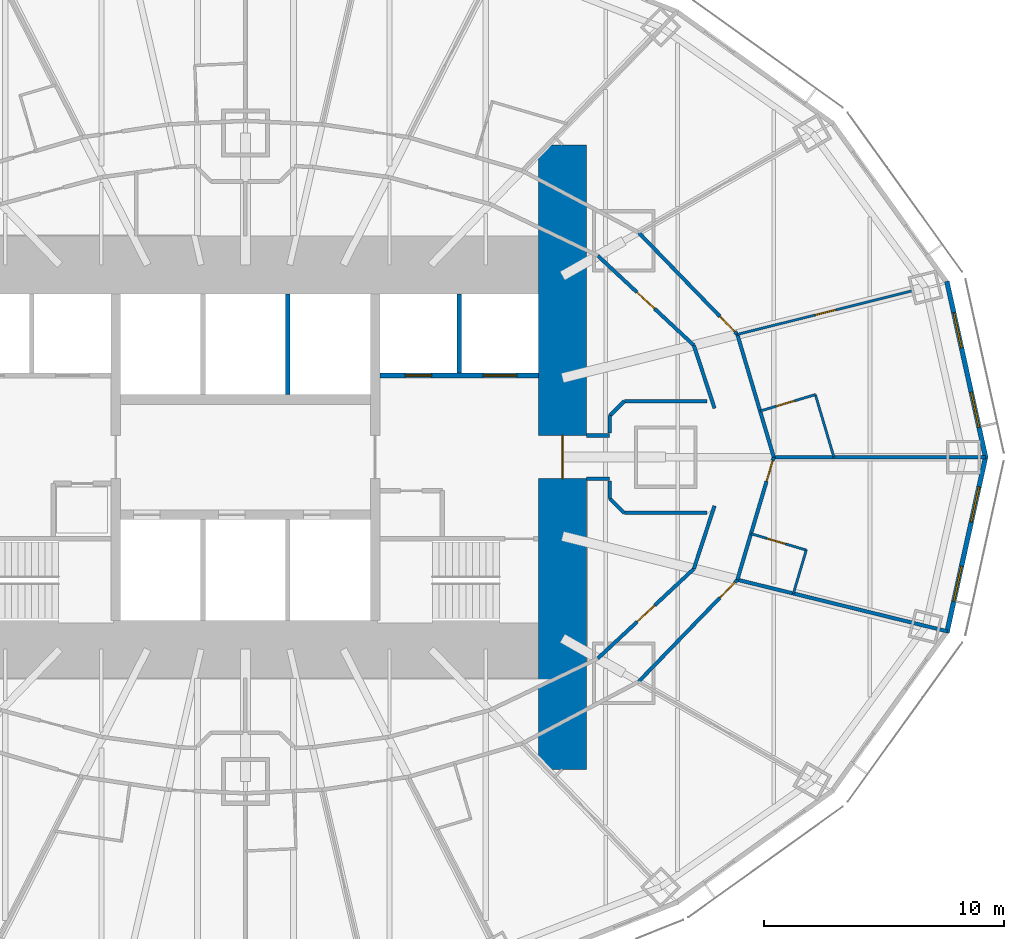
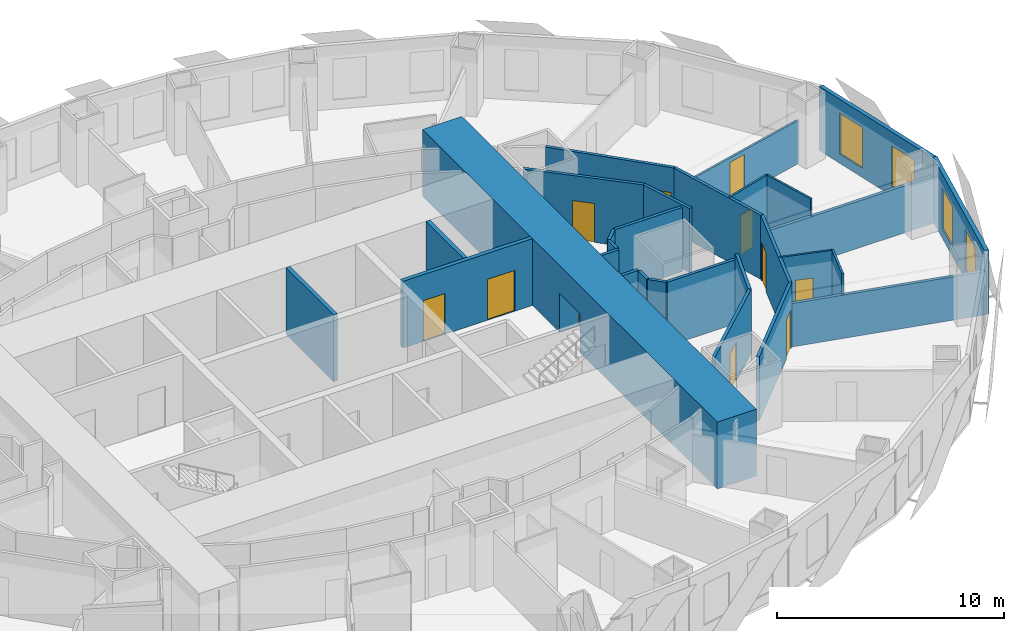
# One storey, part 8 of 15: 29 walls, 11 doors, 4 windows, 15 openings.
"""IFC4 building model written with IfcOpenShell, lengths in metres."""

import ifcopenshell
import ifcopenshell.guid

model = None  # the IFC model being written
_history = None  # IfcOwnerHistory: only IFC2X3 demands one
_inside = {}  # id of a spatial element -> (the spatial element, [elements in it])
_under = {}  # id of a project, library or spatial element -> (it, [spatial elements below it])
_declared = {}  # id of a project -> (the project, [libraries it declares])
_typed = {}  # id of a type object -> (the type object, [elements of that type])
_made_of = {}  # id of a material, layer set ... -> (it, [elements and type objects made of it])


def new_model(schema):
    """Start an empty IFC model of exactly this schema.

    Asked for "IFC4X3", IfcOpenShell would pick the latest addendum, in which some entities
    have other attributes; the version numbers below select the first issue.
    IFC2X3 requires an IfcOwnerHistory on every rooted entity: one is made here for all.
    """
    global model, _history
    if schema == "IFC4X3":
        model = ifcopenshell.file(schema_version=(4, 3, 0, 0))
    else:
        model = ifcopenshell.file(schema=schema)
    _inside.clear()
    _under.clear()
    _declared.clear()
    _typed.clear()
    _made_of.clear()
    _history = None
    if model.schema == "IFC2X3":
        org = make("IfcOrganization", Name="unknown")
        user = make(
            "IfcPersonAndOrganization",
            ThePerson=make("IfcPerson", FamilyName="unknown"),
            TheOrganization=org,
        )
        app = make(
            "IfcApplication",
            ApplicationDeveloper=org,
            Version="unknown",
            ApplicationFullName="unknown",
            ApplicationIdentifier="unknown",
        )
        _history = make(
            "IfcOwnerHistory",
            OwningUser=user,
            OwningApplication=app,
            ChangeAction="ADDED",
            CreationDate=0,
        )
    return model


def make(cls, **values):
    """One entity of the class cls with the attributes given. An attribute that is None is left unset."""
    return model.create_entity(
        cls, **{name: value for name, value in values.items() if value is not None}
    )


def rooted(cls, **values):
    """An entity with a GlobalId (a new one), such as an element, a storey or a relation."""
    return make(cls, GlobalId=ifcopenshell.guid.new(), OwnerHistory=_history, **values)


def si_unit(unit_type, name, prefix=None):
    """IfcSIUnit, for example si_unit("LENGTHUNIT", "METRE", prefix="MILLI")."""
    return make("IfcSIUnit", UnitType=unit_type, Prefix=prefix, Name=name)


def assignment(units):
    """IfcUnitAssignment: the units of a project."""
    return None if units is None else make("IfcUnitAssignment", Units=units)


def point(xyz):
    """IfcCartesianPoint."""
    return None if xyz is None else make("IfcCartesianPoint", Coordinates=xyz)


def direction(xyz):
    """IfcDirection."""
    return None if xyz is None else make("IfcDirection", DirectionRatios=xyz)


def frame(location, z_axis=None, x_axis=None):
    """IfcAxis2Placement3D, a coordinate frame: its origin and axes. An axis left out is left unset."""
    return make(
        "IfcAxis2Placement3D",
        Location=point(location),
        Axis=direction(z_axis),
        RefDirection=direction(x_axis),
    )


def frame_2d(location, x_axis=None):
    """IfcAxis2Placement2D, a coordinate frame in the plane: its origin and x axis."""
    return make(
        "IfcAxis2Placement2D", Location=point(location), RefDirection=direction(x_axis)
    )


def origin():
    """The frame at (0, 0, 0) with its axes left unset."""
    return frame((0.0, 0.0, 0.0))


def place(relative_to, where):
    """IfcLocalPlacement: puts the frame where relative to a parent placement (None: the world)."""
    return make(
        "IfcLocalPlacement", PlacementRelTo=relative_to, RelativePlacement=where
    )


def context(
    kind, dimensions, precision=None, world=None, true_north=None, identifier=None
):
    """IfcGeometricRepresentationContext, for example the 3D "Model" context."""
    return make(
        "IfcGeometricRepresentationContext",
        ContextIdentifier=identifier,
        ContextType=kind,
        CoordinateSpaceDimension=dimensions,
        Precision=precision,
        WorldCoordinateSystem=world,
        TrueNorth=true_north,
    )


def subcontext(parent, identifier, kind, view, scale=None):
    """IfcGeometricRepresentationSubContext, for example "Body" below "Model"."""
    return make(
        "IfcGeometricRepresentationSubContext",
        ContextIdentifier=identifier,
        ContextType=kind,
        ParentContext=parent,
        TargetScale=scale,
        TargetView=view,
    )


def project(units=None, contexts=None):
    """IfcProject with its units and contexts."""
    return rooted(
        "IfcProject",
        Name="project",
        RepresentationContexts=contexts,
        UnitsInContext=assignment(units),
    )


def spatial(cls, under=None, at=None, **own):
    """A site, building, storey or space (cls), placed at a placement, below another one or the project."""
    s = rooted(cls, ObjectPlacement=at, **own)
    if under is not None:
        _under.setdefault(under.id(), (under, []))[1].append(s)
    return s


def profile(cls, at=None, kind="AREA", **sizes):
    """A parametric profile (cls). Its sizes go by their IFC names, for example OverallWidth=200.0."""
    return make(cls, ProfileType=kind, Position=at, **sizes)


def rectangle(**sizes):
    """IfcRectangleProfileDef."""
    return profile("IfcRectangleProfileDef", **sizes)


def extrude(swept, where, along, depth):
    """IfcExtrudedAreaSolid: the profile swept, set in the frame where, extruded along a direction by depth."""
    return make(
        "IfcExtrudedAreaSolid",
        SweptArea=swept,
        Position=where,
        ExtrudedDirection=direction(along),
        Depth=depth,
    )


def shape(context_of_items, identifier, shape_type, items):
    """IfcShapeRepresentation: the items that make up one representation, for example the "Body"."""
    return make(
        "IfcShapeRepresentation",
        ContextOfItems=context_of_items,
        RepresentationIdentifier=identifier,
        RepresentationType=shape_type,
        Items=items,
    )


def material(Name=None, Category=None):
    """IfcMaterial."""
    return make("IfcMaterial", Name=Name, Category=Category)


def layer(
    of_material, thickness, ventilated=None, Name=None, Category=None, Priority=None
):
    """IfcMaterialLayer: one layer of a wall or slab, of a material (None: an air gap)."""
    return make(
        "IfcMaterialLayer",
        Material=of_material,
        LayerThickness=thickness,
        IsVentilated=ventilated,
        Name=Name,
        Category=Category,
        Priority=Priority,
    )


def layer_set(layers, Name=None):
    """IfcMaterialLayerSet."""
    return make("IfcMaterialLayerSet", MaterialLayers=layers, LayerSetName=Name)


def made_of(thing, what):
    """Note that an element or type object is made of a material, layer set ...; save() writes the relation."""
    if what is not None:
        _made_of.setdefault(what.id(), (what, []))[1].append(thing)
    return thing


def type_object(cls, material=None, **own):
    """A type object (cls), such as IfcWallType, which elements share."""
    return made_of(rooted(cls, **own), material)


def element(
    cls,
    number,
    at=None,
    inside=None,
    cuts=None,
    type_object=None,
    material=None,
    context=None,
    identifier="Body",
    shape_type=None,
    held_by="IfcProductDefinitionShape",
    body=None,
    shapes=None,
    **own,
):
    """One element of the class cls, such as IfcWall. Its Tag is "e" and its number.

    at: its placement. inside: the storey or other place that contains it. cuts: it is an
    opening in that element (IfcRelVoidsElement). A single representation is given by context,
    identifier, shape_type and body (its items); several are given by shapes. held_by: the class
    of the entity that holds the representations. save() writes the other relations.
    """
    e = rooted(cls, Tag="e%d" % number, ObjectPlacement=at, **own)
    if body is not None:
        shapes = [shape(context, identifier, shape_type, body)]
    if shapes is not None:
        e.Representation = make(held_by, Representations=shapes)
    if inside is not None:
        _inside.setdefault(inside.id(), (inside, []))[1].append(e)
    if cuts is not None:
        rooted(
            "IfcRelVoidsElement", RelatingBuildingElement=cuts, RelatedOpeningElement=e
        )
    if type_object is not None:
        _typed.setdefault(type_object.id(), (type_object, []))[1].append(e)
    return made_of(e, material)


def fill(opening, filler):
    """IfcRelFillsElement: the door or window that sits in an opening."""
    return rooted(
        "IfcRelFillsElement",
        RelatingOpeningElement=opening,
        RelatedBuildingElement=filler,
    )


def aggregate(whole, parts):
    """IfcRelAggregates: a whole, such as a stair, and the parts it consists of."""
    return rooted("IfcRelAggregates", RelatingObject=whole, RelatedObjects=parts)


def save(model, path):
    """Write the relations noted so far, then the file.

    IfcRelAggregates (storeys below a building ...), IfcRelContainedInSpatialStructure (elements
    in a storey), IfcRelDefinesByType, IfcRelAssociatesMaterial and IfcRelDeclares: one each for
    every whole, place, type object, material and project.
    """
    for whole, parts in _under.values():
        aggregate(whole, parts)
    for where, things in _inside.values():
        rooted(
            "IfcRelContainedInSpatialStructure",
            RelatedElements=things,
            RelatingStructure=where,
        )
    for kind, things in _typed.values():
        rooted("IfcRelDefinesByType", RelatedObjects=things, RelatingType=kind)
    for what, things in _made_of.values():
        rooted("IfcRelAssociatesMaterial", RelatedObjects=things, RelatingMaterial=what)
    for by, libraries in _declared.values():
        rooted("IfcRelDeclares", RelatingContext=by, RelatedDefinitions=libraries)
    model.write(path)


model = new_model("IFC4")

# Units and contexts
model_context = context("Model", 3, precision=1e-05, world=origin(), true_north=direction((0.0, 1.0)))
body_context = subcontext(model_context, "Body", "Model", "MODEL_VIEW")
ifc_project = project(units=[si_unit("LENGTHUNIT", "METRE"), si_unit("AREAUNIT", "SQUARE_METRE"), si_unit("VOLUMEUNIT", "CUBIC_METRE"), si_unit("PLANEANGLEUNIT", "RADIAN"), si_unit("MASSUNIT", "GRAM", prefix="KILO")], contexts=[model_context])

# Site, building, storey
site_placement = place(None, origin())
site = spatial("IfcSite", under=ifc_project, at=site_placement, CompositionType="ELEMENT")
building_placement = place(site_placement, origin())
building = spatial("IfcBuilding", under=site, at=building_placement, Name="Lantaw Convention Tower", CompositionType="ELEMENT")
storey_placement = place(building_placement, frame((0.0, 0.0, 73.0)))
storey = spatial("IfcBuildingStorey", under=building, at=storey_placement, Name="L16", CompositionType="ELEMENT", Elevation=73.0)

# Wall, opening, door
ifc_material_1 = material(Name="Moisture resistant gypsum board on steel studs", Category="steel")
ifc_layer_1 = layer(ifc_material_1, 0.10009765625)
ifc_layer_set_1 = layer_set([ifc_layer_1], Name="Bathroom wall 100")
wall_type_1 = type_object("IfcWallType", Name="Bathroom wall 100", PredefinedType="PARTITIONING", material=ifc_layer_set_1)
wall_1_placement = place(storey_placement, frame((21.430908203125, 1.917236328125, 0.0), z_axis=(0.0, 0.0, 1.0), x_axis=(0.958639927723, 0.284621659356, 0.0)))
wall_1 = element("IfcWall", 1, at=wall_1_placement, inside=storey, type_object=wall_type_1, Name="Bathroom wall 100", PredefinedType="PARTITIONING", context=body_context, shape_type="SweptSolid", body=[
    extrude(rectangle(XDim=2.400146484375, YDim=0.10009765625, at=frame_2d((1.2001953125, 0.0))), origin(), (0.0, 0.0, 1.0), 3.449951171875),
])
opening_1_placement = place(wall_1_placement, frame((0.699951171875, 0.0, 0.0)))
opening_1 = element("IfcOpeningElement", 2, at=opening_1_placement, cuts=wall_1, Name="Opening L16.25", PredefinedType="OPENING", context=body_context, shape_type="SweptSolid", body=[
    extrude(rectangle(XDim=0.800048828125, YDim=2.10009765625, at=frame_2d((0.39990234375, 1.050048828125))), frame((0.0, 0.06005859375, 0.0), z_axis=(0.0, -1.0, 0.0), x_axis=(1.0, 0.0, 0.0)), (0.0, 0.0, 1.0), 0.1201171875),
])
ifc_material_2 = material(Name="Timber", Category="wood")
door_type_1 = type_object("IfcDoorType", Name="Bathroom door 800", OperationType="SINGLE_SWING_LEFT", PredefinedType="DOOR", material=ifc_material_2)
door_1_placement = place(opening_1_placement, origin())
door_1 = element("IfcDoor", 3, at=door_1_placement, inside=storey, type_object=door_type_1, Name="Bathroom door", OperationType="SINGLE_SWING_LEFT", OverallHeight=2.10009765625, OverallWidth=0.800048828125, PredefinedType="DOOR", context=body_context, shape_type="SweptSolid", body=[
    extrude(rectangle(XDim=0.800048828125, YDim=2.10009765625, at=frame_2d((0.39990234375, 1.050048828125))), frame((0.0, 0.02490234375, 0.0), z_axis=(0.0, -1.0, 0.0), x_axis=(1.0, 0.0, 0.0)), (0.0, 0.0, 1.0), 0.050048828125),
])
fill(opening_1, door_1)

# Wall
wall_2_placement = place(storey_placement, frame((23.731689453125, 2.600341796875, 0.0), z_axis=(0.0, 0.0, 1.0), x_axis=(0.284514277473, -0.958671803025, 0.0)))
element("IfcWall", 4, at=wall_2_placement, inside=storey, type_object=wall_type_1, Name="Bathroom wall 100", PredefinedType="PARTITIONING", context=body_context, shape_type="SweptSolid", body=[
    extrude(rectangle(XDim=2.71240234375, YDim=0.10009765625, at=frame_2d((1.356201171875, 0.0))), origin(), (0.0, 0.0, 1.0), 3.449951171875),
])

# Wall, opening, door
wall_3_placement = place(storey_placement, frame((21.052978515625, -3.18994140625, 0.0), z_axis=(0.0, 0.0, 1.0), x_axis=(0.958667679126, -0.284528172593, 0.0)))
wall_3 = element("IfcWall", 5, at=wall_3_placement, inside=storey, type_object=wall_type_1, Name="Bathroom wall 100", PredefinedType="PARTITIONING", context=body_context, shape_type="SweptSolid", body=[
    extrude(rectangle(XDim=2.39990234375, YDim=0.10009765625, at=frame_2d((1.199951171875, 0.0))), origin(), (0.0, 0.0, 1.0), 3.449951171875),
])
opening_2_placement = place(wall_3_placement, frame((0.699951171875, 0.0, 0.0)))
opening_2 = element("IfcOpeningElement", 6, at=opening_2_placement, cuts=wall_3, Name="Opening L16.52", PredefinedType="OPENING", context=body_context, shape_type="SweptSolid", body=[
    extrude(rectangle(XDim=0.800048828125, YDim=2.10009765625, at=frame_2d((0.39990234375, 1.050048828125))), frame((0.0, 0.06005859375, 0.0), z_axis=(0.0, -1.0, 0.0), x_axis=(1.0, 0.0, 0.0)), (0.0, 0.0, 1.0), 0.1201171875),
])
door_2_placement = place(opening_2_placement, origin())
door_2 = element("IfcDoor", 7, at=door_2_placement, inside=storey, type_object=door_type_1, Name="Bathroom door", OperationType="SINGLE_SWING_LEFT", OverallHeight=2.10009765625, OverallWidth=0.800048828125, PredefinedType="DOOR", context=body_context, shape_type="SweptSolid", body=[
    extrude(rectangle(XDim=0.800048828125, YDim=2.10009765625, at=frame_2d((0.39990234375, 1.050048828125))), frame((0.0, 0.02490234375, 0.0), z_axis=(0.0, -1.0, 0.0), x_axis=(1.0, 0.0, 0.0)), (0.0, 0.0, 1.0), 0.050048828125),
])
fill(opening_2, door_2)

# Wall
wall_4_placement = place(storey_placement, frame((23.353759765625, -3.872802734375, 0.0), z_axis=(0.0, 0.0, 1.0), x_axis=(-0.284496480535, -0.958677084613, 0.0)))
element("IfcWall", 8, at=wall_4_placement, inside=storey, type_object=wall_type_1, Name="Bathroom wall 100", PredefinedType="PARTITIONING", context=body_context, shape_type="SweptSolid", body=[
    extrude(rectangle(XDim=1.89404296875, YDim=0.10009765625, at=frame_2d((0.947021484375, 0.0))), origin(), (0.0, 0.0, 1.0), 3.449951171875),
])

# Wall, opening, door
ifc_material_3 = material(Name="Concrete C60/75", Category="concrete")
ifc_layer_2 = layer(ifc_material_3, 2.0)
ifc_layer_set_2 = layer_set([ifc_layer_2], Name="Core wall 2000")
wall_type_2 = type_object("IfcWallType", Name="Core wall 2000", PredefinedType="SHEAR", material=ifc_layer_set_2)
wall_5_placement = place(storey_placement, frame((13.199951171875, -13.0, 0.0), z_axis=(0.0, 0.0, 1.0), x_axis=(0.0, 1.0, 0.0)))
wall_5 = element("IfcWall", 9, at=wall_5_placement, inside=storey, type_object=wall_type_2, Name="Core wall E", PredefinedType="SHEAR", context=body_context, shape_type="SweptSolid", body=[
    extrude(rectangle(XDim=26.0, YDim=2.0, at=frame_2d((13.0, 0.0))), origin(), (0.0, 0.0, 1.0), 3.60009765625),
])
opening_3_placement = place(wall_5_placement, frame((12.10009765625, 0.0, 0.0)))
opening_3 = element("IfcOpeningElement", 10, at=opening_3_placement, cuts=wall_5, Name="Opening L16.07", PredefinedType="OPENING", context=body_context, shape_type="SweptSolid", body=[
    extrude(rectangle(XDim=1.800048828125, YDim=2.10009765625, at=frame_2d((0.89990234375, 1.050048828125))), frame((0.0, 1.010009765625, 0.0), z_axis=(0.0, -1.0, 0.0), x_axis=(1.0, 0.0, 0.0)), (0.0, 0.0, 1.0), 2.02001953125),
])
ifc_material_4 = material(Name="Steel, fire rated", Category="steel")
door_type_2 = type_object("IfcDoorType", Name="Lobby double door FD90", OperationType="DOUBLE_DOOR_DOUBLE_SWING", PredefinedType="DOOR", material=ifc_material_4)
door_3_placement = place(opening_3_placement, origin())
door_3 = element("IfcDoor", 11, at=door_3_placement, inside=storey, type_object=door_type_2, Name="Firefighting lobby door", OperationType="DOUBLE_DOOR_DOUBLE_SWING", OverallHeight=2.10009765625, OverallWidth=1.800048828125, PredefinedType="DOOR", context=body_context, shape_type="SweptSolid", body=[
    extrude(rectangle(XDim=1.800048828125, YDim=2.10009765625, at=frame_2d((0.89990234375, 1.050048828125))), frame((0.0, 0.02490234375, 0.0), z_axis=(0.0, -1.0, 0.0), x_axis=(1.0, 0.0, 0.0)), (0.0, 0.0, 1.0), 0.050048828125),
])
fill(opening_3, door_3)

# Wall
ifc_material_5 = material(Name="Gypsum board on steel studs, fire rated", Category="steel")
ifc_layer_3 = layer(ifc_material_5, 0.14990234375)
ifc_layer_set_3 = layer_set([ifc_layer_3], Name="Corridor wall 150 EI 60")
wall_type_3 = type_object("IfcWallType", Name="Corridor wall 150 EI 60", PredefinedType="PARTITIONING", material=ifc_layer_set_3)
wall_6_placement = place(storey_placement, frame((22.0, 0.0, 0.0), z_axis=(0.0, 0.0, 1.0), x_axis=(-0.284584469409, 0.95865096869, 0.0)))
element("IfcWall", 12, at=wall_6_placement, inside=storey, type_object=wall_type_3, Name="Corridor wall 150", PredefinedType="PARTITIONING", context=body_context, shape_type="SweptSolid", body=[
    extrude(rectangle(XDim=5.327392578125, YDim=0.14990234375, at=frame_2d((2.66357421875, 0.0))), origin(), (0.0, 0.0, 1.0), 3.449951171875),
])

# Wall, opening, door
wall_7_placement = place(storey_placement, frame((20.48388671875, 5.107177734375, 0.0), z_axis=(0.0, 0.0, 1.0), x_axis=(-0.695871090686, 0.71816671125, 0.0)))
wall_7 = element("IfcWall", 13, at=wall_7_placement, inside=storey, type_object=wall_type_3, Name="Corridor wall 150", PredefinedType="PARTITIONING", context=body_context, shape_type="SweptSolid", body=[
    extrude(rectangle(XDim=5.9130859375, YDim=0.14990234375, at=frame_2d((2.95654296875, 0.0))), origin(), (0.0, 0.0, 1.0), 3.449951171875),
])
opening_4_placement = place(wall_7_placement, frame((0.14990234375, 0.0, 0.0)))
opening_4 = element("IfcOpeningElement", 14, at=opening_4_placement, cuts=wall_7, Name="Opening L16.28", PredefinedType="OPENING", context=body_context, shape_type="SweptSolid", body=[
    extrude(rectangle(XDim=0.89990234375, YDim=2.10009765625, at=frame_2d((0.449951171875, 1.050048828125))), frame((0.0, 0.0849609375, 0.0), z_axis=(0.0, -1.0, 0.0), x_axis=(1.0, 0.0, 0.0)), (0.0, 0.0, 1.0), 0.169921875),
])
door_type_3 = type_object("IfcDoorType", Name="Guest room entrance door FD30S", OperationType="SINGLE_SWING_LEFT", PredefinedType="DOOR", material=ifc_material_4)
door_4_placement = place(opening_4_placement, origin())
door_4 = element("IfcDoor", 15, at=door_4_placement, inside=storey, type_object=door_type_3, Name="Suite entrance door", OperationType="SINGLE_SWING_LEFT", OverallHeight=2.10009765625, OverallWidth=0.89990234375, PredefinedType="DOOR", context=body_context, shape_type="SweptSolid", body=[
    extrude(rectangle(XDim=0.89990234375, YDim=2.10009765625, at=frame_2d((0.449951171875, 1.050048828125))), frame((0.0, 0.02490234375, 0.0), z_axis=(0.0, -1.0, 0.0), x_axis=(1.0, 0.0, 0.0)), (0.0, 0.0, 1.0), 0.050048828125),
])
fill(opening_4, door_4)

wall_8_placement = place(storey_placement, frame((16.369140625, -9.353759765625, 0.0), z_axis=(0.0, 0.0, 1.0), x_axis=(0.695871090686, 0.71816671125, 0.0)))
wall_8 = element("IfcWall", 16, at=wall_8_placement, inside=storey, type_object=wall_type_3, Name="Corridor wall 150", PredefinedType="PARTITIONING", context=body_context, shape_type="SweptSolid", body=[
    extrude(rectangle(XDim=5.9130859375, YDim=0.14990234375, at=frame_2d((2.95654296875, 0.0))), origin(), (0.0, 0.0, 1.0), 3.449951171875),
])
opening_5_placement = place(wall_8_placement, frame((4.863037109375, 0.0, 0.0)))
opening_5 = element("IfcOpeningElement", 17, at=opening_5_placement, cuts=wall_8, Name="Opening L16.51", PredefinedType="OPENING", context=body_context, shape_type="SweptSolid", body=[
    extrude(rectangle(XDim=0.89990234375, YDim=2.10009765625, at=frame_2d((0.449951171875, 1.050048828125))), frame((0.0, 0.0849609375, 0.0), z_axis=(0.0, -1.0, 0.0), x_axis=(1.0, 0.0, 0.0)), (0.0, 0.0, 1.0), 0.169921875),
])
door_5_placement = place(opening_5_placement, origin())
door_5 = element("IfcDoor", 18, at=door_5_placement, inside=storey, type_object=door_type_3, Name="Suite entrance door", OperationType="SINGLE_SWING_LEFT", OverallHeight=2.10009765625, OverallWidth=0.89990234375, PredefinedType="DOOR", context=body_context, shape_type="SweptSolid", body=[
    extrude(rectangle(XDim=0.89990234375, YDim=2.10009765625, at=frame_2d((0.449951171875, 1.050048828125))), frame((0.0, 0.02490234375, 0.0), z_axis=(0.0, -1.0, 0.0), x_axis=(1.0, 0.0, 0.0)), (0.0, 0.0, 1.0), 0.050048828125),
])
fill(opening_5, door_5)

wall_9_placement = place(storey_placement, frame((20.48388671875, -5.107177734375, 0.0), z_axis=(0.0, 0.0, 1.0), x_axis=(0.284584469409, 0.95865096869, 0.0)))
wall_9 = element("IfcWall", 19, at=wall_9_placement, inside=storey, type_object=wall_type_3, Name="Corridor wall 150", PredefinedType="PARTITIONING", context=body_context, shape_type="SweptSolid", body=[
    extrude(rectangle(XDim=5.327392578125, YDim=0.14990234375, at=frame_2d((2.66357421875, 0.0))), origin(), (0.0, 0.0, 1.0), 3.449951171875),
])
opening_6_placement = place(wall_9_placement, frame((4.277587890625, 0.0, 0.0)))
opening_6 = element("IfcOpeningElement", 20, at=opening_6_placement, cuts=wall_9, Name="Opening L16.53", PredefinedType="OPENING", context=body_context, shape_type="SweptSolid", body=[
    extrude(rectangle(XDim=0.89990234375, YDim=2.10009765625, at=frame_2d((0.449951171875, 1.050048828125))), frame((0.0, 0.0849609375, 0.0), z_axis=(0.0, -1.0, 0.0), x_axis=(1.0, 0.0, 0.0)), (0.0, 0.0, 1.0), 0.169921875),
])
door_6_placement = place(opening_6_placement, origin())
door_6 = element("IfcDoor", 21, at=door_6_placement, inside=storey, type_object=door_type_3, Name="Guest room entrance door", OperationType="SINGLE_SWING_LEFT", OverallHeight=2.10009765625, OverallWidth=0.89990234375, PredefinedType="DOOR", context=body_context, shape_type="SweptSolid", body=[
    extrude(rectangle(XDim=0.89990234375, YDim=2.10009765625, at=frame_2d((0.449951171875, 1.050048828125))), frame((0.0, 0.02490234375, 0.0), z_axis=(0.0, -1.0, 0.0), x_axis=(1.0, 0.0, 0.0)), (0.0, 0.0, 1.0), 0.050048828125),
])
fill(opening_6, door_6)

wall_10_placement = place(storey_placement, frame((18.671630859375, 4.6552734375, 0.0), z_axis=(0.0, 0.0, 1.0), x_axis=(-0.731260145007, 0.682098673452, 0.0)))
wall_10 = element("IfcWall", 22, at=wall_10_placement, inside=storey, type_object=wall_type_3, Name="Corridor wall 150", PredefinedType="PARTITIONING", context=body_context, shape_type="SweptSolid", body=[
    extrude(rectangle(XDim=5.4677734375, YDim=0.14990234375, at=frame_2d((2.73388671875, 0.0))), origin(), (0.0, 0.0, 1.0), 3.449951171875),
])
opening_7_placement = place(wall_10_placement, frame((2.23388671875, 0.0, 0.0)))
opening_7 = element("IfcOpeningElement", 23, at=opening_7_placement, cuts=wall_10, Name="Opening L16.16", PredefinedType="OPENING", context=body_context, shape_type="SweptSolid", body=[
    extrude(rectangle(XDim=1.0, YDim=2.10009765625, at=frame_2d((0.5, 1.050048828125))), frame((0.0, 0.0849609375, 0.0), z_axis=(0.0, -1.0, 0.0), x_axis=(1.0, 0.0, 0.0)), (0.0, 0.0, 1.0), 0.169921875),
])
door_type_4 = type_object("IfcDoorType", Name="Service door 1000 FD30", OperationType="SINGLE_SWING_LEFT", PredefinedType="DOOR", material=ifc_material_4)
door_7_placement = place(opening_7_placement, origin())
door_7 = element("IfcDoor", 24, at=door_7_placement, inside=storey, type_object=door_type_4, Name="Linen store door", OperationType="SINGLE_SWING_LEFT", OverallHeight=2.10009765625, OverallWidth=1.0, PredefinedType="DOOR", context=body_context, shape_type="SweptSolid", body=[
    extrude(rectangle(XDim=1.0, YDim=2.10009765625, at=frame_2d((0.5, 1.050048828125))), frame((0.0, 0.02490234375, 0.0), z_axis=(0.0, -1.0, 0.0), x_axis=(1.0, 0.0, 0.0)), (0.0, 0.0, 1.0), 0.050048828125),
])
fill(opening_7, door_7)

wall_11_placement = place(storey_placement, frame((14.67333984375, -8.384765625, 0.0), z_axis=(0.0, 0.0, 1.0), x_axis=(0.731260145007, 0.682098673452, 0.0)))
wall_11 = element("IfcWall", 25, at=wall_11_placement, inside=storey, type_object=wall_type_3, Name="Corridor wall 150", PredefinedType="PARTITIONING", context=body_context, shape_type="SweptSolid", body=[
    extrude(rectangle(XDim=5.4677734375, YDim=0.14990234375, at=frame_2d((2.73388671875, 0.0))), origin(), (0.0, 0.0, 1.0), 3.449951171875),
])
opening_8_placement = place(wall_11_placement, frame((2.23388671875, 0.0, 0.0)))
opening_8 = element("IfcOpeningElement", 26, at=opening_8_placement, cuts=wall_11, Name="Opening L16.23", PredefinedType="OPENING", context=body_context, shape_type="SweptSolid", body=[
    extrude(rectangle(XDim=1.0, YDim=2.10009765625, at=frame_2d((0.5, 1.050048828125))), frame((0.0, 0.0849609375, 0.0), z_axis=(0.0, -1.0, 0.0), x_axis=(1.0, 0.0, 0.0)), (0.0, 0.0, 1.0), 0.169921875),
])
door_8_placement = place(opening_8_placement, origin())
door_8 = element("IfcDoor", 27, at=door_8_placement, inside=storey, type_object=door_type_4, Name="Room service pantry door", OperationType="SINGLE_SWING_LEFT", OverallHeight=2.10009765625, OverallWidth=1.0, PredefinedType="DOOR", context=body_context, shape_type="SweptSolid", body=[
    extrude(rectangle(XDim=1.0, YDim=2.10009765625, at=frame_2d((0.5, 1.050048828125))), frame((0.0, 0.02490234375, 0.0), z_axis=(0.0, -1.0, 0.0), x_axis=(1.0, 0.0, 0.0)), (0.0, 0.0, 1.0), 0.050048828125),
])
fill(opening_8, door_8)

# Walls
for number, where, z_axis, x_axis, name in (
    (28, (19.533447265625, 2.0302734375, 0.0), (0.0, 0.0, 1.0), (-0.311929965981, 0.950105097515, 0.0), "Corridor wall 150"),
    (29, (18.671630859375, -4.6552734375, 0.0), (0.0, 0.0, 1.0), (0.311929965981, 0.950105097515, 0.0), "Corridor wall 150"),
):
    element("IfcWall", number, at=place(storey_placement, frame(where, z_axis=z_axis, x_axis=x_axis)), inside=storey, type_object=wall_type_3, Name=name, PredefinedType="PARTITIONING", context=body_context, shape_type="SweptSolid", body=[
        extrude(rectangle(XDim=2.762939453125, YDim=0.14990234375, at=frame_2d((1.38134765625, 0.0))), origin(), (0.0, 0.0, 1.0), 3.449951171875),
    ])
for number, where, z_axis, x_axis, name in (
    (30, (14.199951171875, -0.89990234375, 0.0), (0.0, 0.0, 1.0), (1.0, 0.0, 0.0), "Corridor wall 150"),
    (31, (14.199951171875, 0.89990234375, 0.0), (0.0, 0.0, 1.0), (1.0, 0.0, 0.0), "Corridor wall 150"),
):
    element("IfcWall", number, at=place(storey_placement, frame(where, z_axis=z_axis, x_axis=x_axis)), inside=storey, type_object=wall_type_3, Name=name, PredefinedType="PARTITIONING", context=body_context, shape_type="SweptSolid", body=[
        extrude(rectangle(XDim=0.965087890625, YDim=0.14990234375, at=frame_2d((0.482421875, 0.0))), origin(), (0.0, 0.0, 1.0), 3.449951171875),
    ])
wall_12_placement = place(storey_placement, frame((15.175048828125, 1.003173828125, 0.0), z_axis=(0.0, 0.0, 1.0), x_axis=(0.0, 1.0, 0.0)))
element("IfcWall", 32, at=wall_12_placement, inside=storey, type_object=wall_type_3, Name="Corridor wall 150", PredefinedType="PARTITIONING", context=body_context, shape_type="SweptSolid", body=[
    extrude(rectangle(XDim=0.721435546875, YDim=0.14990234375, at=frame_2d((0.36083984375, 0.0))), origin(), (0.0, 0.0, 1.0), 3.449951171875),
])
wall_13_placement = place(storey_placement, frame((15.175048828125, 1.724609375, 0.0), z_axis=(0.0, 0.0, 1.0), x_axis=(0.707106781187, 0.707106781187, 0.0)))
element("IfcWall", 33, at=wall_13_placement, inside=storey, type_object=wall_type_3, Name="Corridor wall 150", PredefinedType="PARTITIONING", context=body_context, shape_type="SweptSolid", body=[
    extrude(rectangle(XDim=0.84912109375, YDim=0.14990234375, at=frame_2d((0.424560546875, 0.0))), origin(), (0.0, 0.0, 1.0), 3.449951171875),
])
for number, where, z_axis, x_axis, name in (
    (34, (15.775390625, 2.324951171875, 0.0), (0.0, 0.0, 1.0), (1.0, 0.0, 0.0), "Corridor wall 150"),
    (35, (19.224609375, -2.324951171875, 0.0), (0.0, 0.0, 1.0), (-1.0, 0.0, 0.0), "Corridor wall 150"),
):
    element("IfcWall", number, at=place(storey_placement, frame(where, z_axis=z_axis, x_axis=x_axis)), inside=storey, type_object=wall_type_3, Name=name, PredefinedType="PARTITIONING", context=body_context, shape_type="SweptSolid", body=[
        extrude(rectangle(XDim=3.44921875, YDim=0.14990234375, at=frame_2d((1.724609375, 0.0))), origin(), (0.0, 0.0, 1.0), 3.449951171875),
    ])
wall_14_placement = place(storey_placement, frame((15.775390625, -2.324951171875, 0.0), z_axis=(0.0, 0.0, 1.0), x_axis=(-0.707106781187, 0.707106781187, 0.0)))
element("IfcWall", 36, at=wall_14_placement, inside=storey, type_object=wall_type_3, Name="Corridor wall 150", PredefinedType="PARTITIONING", context=body_context, shape_type="SweptSolid", body=[
    extrude(rectangle(XDim=0.84912109375, YDim=0.14990234375, at=frame_2d((0.424560546875, 0.0))), origin(), (0.0, 0.0, 1.0), 3.449951171875),
])
wall_15_placement = place(storey_placement, frame((15.175048828125, -1.724609375, 0.0), z_axis=(0.0, 0.0, 1.0), x_axis=(0.0, 1.0, 0.0)))
element("IfcWall", 37, at=wall_15_placement, inside=storey, type_object=wall_type_3, Name="Corridor wall 150", PredefinedType="PARTITIONING", context=body_context, shape_type="SweptSolid", body=[
    extrude(rectangle(XDim=0.721435546875, YDim=0.14990234375, at=frame_2d((0.36083984375, 0.0))), origin(), (0.0, 0.0, 1.0), 3.449951171875),
])

# Wall, openings, windows
ifc_material_6 = material(Name="Insulated aluminium panel on steel frame", Category="steel")
ifc_layer_4 = layer(ifc_material_6, 0.199951171875)
ifc_layer_set_4 = layer_set([ifc_layer_4], Name="External wall 200")
wall_type_4 = type_object("IfcWallType", Name="External wall 200", PredefinedType="SOLIDWALL", material=ifc_layer_set_4)
wall_16_placement = place(storey_placement, frame((30.83544921875, -0.06689453125, 0.0), z_axis=(0.0, 0.0, 1.0), x_axis=(-0.215238065514, 0.976561608478, 0.0)))
wall_16 = element("IfcWall", 38, at=wall_16_placement, inside=storey, type_object=wall_type_4, Name="Facade panel wall", PredefinedType="SOLIDWALL", context=body_context, shape_type="SweptSolid", body=[
    extrude(rectangle(XDim=7.562255859375, YDim=0.199951171875, at=frame_2d((3.78125, 0.0))), origin(), (0.0, 0.0, 1.0), 3.449951171875),
])
opening_9_placement = place(wall_16_placement, frame((1.340576171875, 0.0, 0.5)))
opening_9 = element("IfcOpeningElement", 39, at=opening_9_placement, cuts=wall_16, Name="Opening W2", PredefinedType="OPENING", context=body_context, shape_type="SweptSolid", body=[
    extrude(rectangle(XDim=1.5, YDim=2.199951171875, at=frame_2d((0.75, 1.10009765625))), frame((0.0, 0.10986328125, 0.0), z_axis=(0.0, -1.0, 0.0), x_axis=(1.0, 0.0, 0.0)), (0.0, 0.0, 1.0), 0.219970703125),
])
opening_10_placement = place(wall_16_placement, frame((4.7216796875, 0.0, 0.5)))
opening_10 = element("IfcOpeningElement", 40, at=opening_10_placement, cuts=wall_16, Name="Opening W2", PredefinedType="OPENING", context=body_context, shape_type="SweptSolid", body=[
    extrude(rectangle(XDim=1.5, YDim=2.199951171875, at=frame_2d((0.75, 1.10009765625))), frame((0.0, 0.10986328125, 0.0), z_axis=(0.0, -1.0, 0.0), x_axis=(1.0, 0.0, 0.0)), (0.0, 0.0, 1.0), 0.219970703125),
])
ifc_material_7 = material(Name="Aluminium frame, clear insulating glass", Category="aluminium")
window_type = type_object("IfcWindowType", Name="Suite window 1500x2200", PartitioningType="SINGLE_PANEL", PredefinedType="WINDOW", material=ifc_material_7)
window_1_placement = place(opening_9_placement, origin())
window_1 = element("IfcWindow", 41, at=window_1_placement, inside=storey, type_object=window_type, Name="Guest room window", OverallHeight=2.199951171875, OverallWidth=1.5, PartitioningType="SINGLE_PANEL", PredefinedType="WINDOW", context=body_context, shape_type="SweptSolid", body=[
    extrude(rectangle(XDim=1.5, YDim=2.199951171875, at=frame_2d((0.75, 1.10009765625))), frame((0.0, 0.030029296875, 0.0), z_axis=(0.0, -1.0, 0.0), x_axis=(1.0, 0.0, 0.0)), (0.0, 0.0, 1.0), 0.06005859375),
])
fill(opening_9, window_1)
window_2_placement = place(opening_10_placement, origin())
window_2 = element("IfcWindow", 42, at=window_2_placement, inside=storey, type_object=window_type, Name="Guest room window", OverallHeight=2.199951171875, OverallWidth=1.5, PartitioningType="SINGLE_PANEL", PredefinedType="WINDOW", context=body_context, shape_type="SweptSolid", body=[
    extrude(rectangle(XDim=1.5, YDim=2.199951171875, at=frame_2d((0.75, 1.10009765625))), frame((0.0, 0.030029296875, 0.0), z_axis=(0.0, -1.0, 0.0), x_axis=(1.0, 0.0, 0.0)), (0.0, 0.0, 1.0), 0.06005859375),
])
fill(opening_10, window_2)

wall_17_placement = place(storey_placement, frame((29.207763671875, -7.318115234375, 0.0), z_axis=(0.0, 0.0, 1.0), x_axis=(0.215238065514, 0.976561608478, 0.0)))
wall_17 = element("IfcWall", 43, at=wall_17_placement, inside=storey, type_object=wall_type_4, Name="Facade panel wall", PredefinedType="SOLIDWALL", context=body_context, shape_type="SweptSolid", body=[
    extrude(rectangle(XDim=7.562255859375, YDim=0.199951171875, at=frame_2d((3.78125, 0.0))), origin(), (0.0, 0.0, 1.0), 3.449951171875),
])
opening_11_placement = place(wall_17_placement, frame((1.340576171875, 0.0, 0.5)))
opening_11 = element("IfcOpeningElement", 44, at=opening_11_placement, cuts=wall_17, Name="Opening W2", PredefinedType="OPENING", context=body_context, shape_type="SweptSolid", body=[
    extrude(rectangle(XDim=1.5, YDim=2.199951171875, at=frame_2d((0.75, 1.10009765625))), frame((0.0, 0.10986328125, 0.0), z_axis=(0.0, -1.0, 0.0), x_axis=(1.0, 0.0, 0.0)), (0.0, 0.0, 1.0), 0.219970703125),
])
opening_12_placement = place(wall_17_placement, frame((4.7216796875, 0.0, 0.5)))
opening_12 = element("IfcOpeningElement", 45, at=opening_12_placement, cuts=wall_17, Name="Opening W2", PredefinedType="OPENING", context=body_context, shape_type="SweptSolid", body=[
    extrude(rectangle(XDim=1.5, YDim=2.199951171875, at=frame_2d((0.75, 1.10009765625))), frame((0.0, 0.10986328125, 0.0), z_axis=(0.0, -1.0, 0.0), x_axis=(1.0, 0.0, 0.0)), (0.0, 0.0, 1.0), 0.219970703125),
])
window_3_placement = place(opening_11_placement, origin())
window_3 = element("IfcWindow", 46, at=window_3_placement, inside=storey, type_object=window_type, Name="Guest room window", OverallHeight=2.199951171875, OverallWidth=1.5, PartitioningType="SINGLE_PANEL", PredefinedType="WINDOW", context=body_context, shape_type="SweptSolid", body=[
    extrude(rectangle(XDim=1.5, YDim=2.199951171875, at=frame_2d((0.75, 1.10009765625))), frame((0.0, 0.030029296875, 0.0), z_axis=(0.0, -1.0, 0.0), x_axis=(1.0, 0.0, 0.0)), (0.0, 0.0, 1.0), 0.06005859375),
])
fill(opening_11, window_3)
window_4_placement = place(opening_12_placement, origin())
window_4 = element("IfcWindow", 47, at=window_4_placement, inside=storey, type_object=window_type, Name="Guest room window", OverallHeight=2.199951171875, OverallWidth=1.5, PartitioningType="SINGLE_PANEL", PredefinedType="WINDOW", context=body_context, shape_type="SweptSolid", body=[
    extrude(rectangle(XDim=1.5, YDim=2.199951171875, at=frame_2d((0.75, 1.10009765625))), frame((0.0, 0.030029296875, 0.0), z_axis=(0.0, -1.0, 0.0), x_axis=(1.0, 0.0, 0.0)), (0.0, 0.0, 1.0), 0.06005859375),
])
fill(opening_12, window_4)

# Walls
ifc_material_8 = material(Name="Gypsum board on steel studs, acoustic", Category="steel")
ifc_layer_5 = layer(ifc_material_8, 0.14990234375)
ifc_layer_set_5 = layer_set([ifc_layer_5], Name="Guest room party wall 150")
wall_type_5 = type_object("IfcWallType", Name="Guest room party wall 150", PredefinedType="PARTITIONING", material=ifc_layer_set_5)
wall_18_placement = place(storey_placement, frame((30.82080078125, 0.0, 0.0), z_axis=(0.0, 0.0, 1.0), x_axis=(-1.0, 0.0, 0.0)))
element("IfcWall", 48, at=wall_18_placement, inside=storey, type_object=wall_type_5, Name="Guest room party wall 150", PredefinedType="PARTITIONING", context=body_context, shape_type="SweptSolid", body=[
    extrude(rectangle(XDim=8.82080078125, YDim=0.14990234375, at=frame_2d((4.410400390625, 0.0))), origin(), (0.0, 0.0, 1.0), 2.528076171875),
])
wall_19_placement = place(storey_placement, frame((29.221923828125, -7.253662109375, 0.0), z_axis=(0.0, 0.0, 1.0), x_axis=(-0.971128703136, 0.238556160989, 0.0)))
element("IfcWall", 49, at=wall_19_placement, inside=storey, type_object=wall_type_5, Name="Guest room party wall 150", PredefinedType="PARTITIONING", context=body_context, shape_type="SweptSolid", body=[
    extrude(rectangle(XDim=8.997802734375, YDim=0.14990234375, at=frame_2d((4.4990234375, 0.0))), origin(), (0.0, 0.0, 1.0), 2.33251953125),
])
ifc_material_9 = material(Name="Concrete blockwork, fire rated", Category="masonry")
ifc_layer_6 = layer(ifc_material_9, 0.199951171875)
ifc_layer_set_6 = layer_set([ifc_layer_6], Name="Shaft wall 200")
wall_type_6 = type_object("IfcWallType", Name="Shaft wall 200", PredefinedType="SOLIDWALL", material=ifc_layer_set_6)
wall_20_placement = place(storey_placement, frame((1.7666015625, 2.60009765625, 0.0), z_axis=(0.0, 0.0, 1.0), x_axis=(0.0, 1.0, 0.0)))
element("IfcWall", 50, at=wall_20_placement, inside=storey, type_object=wall_type_6, Name="Shaft wall DN2", PredefinedType="SOLIDWALL", context=body_context, shape_type="SweptSolid", body=[
    extrude(rectangle(XDim=4.199951171875, YDim=0.199951171875, at=frame_2d((2.10009765625, 0.0))), origin(), (0.0, 0.0, 1.0), 3.60009765625),
])

# Wall, openings, doors
wall_21_placement = place(storey_placement, frame((12.199951171875, 3.39990234375, 0.0), z_axis=(0.0, 0.0, 1.0), x_axis=(-1.0, 0.0, 0.0)))
wall_21 = element("IfcWall", 51, at=wall_21_placement, inside=storey, type_object=wall_type_6, Name="Shaft wall EN", PredefinedType="SOLIDWALL", context=body_context, shape_type="SweptSolid", body=[
    extrude(rectangle(XDim=6.599853515625, YDim=0.199951171875, at=frame_2d((3.2998046875, 0.0))), origin(), (0.0, 0.0, 1.0), 3.60009765625),
])
opening_13_placement = place(wall_21_placement, frame((4.449951171875, 0.0, 0.0)))
opening_13 = element("IfcOpeningElement", 52, at=opening_13_placement, cuts=wall_21, Name="Opening L16.14", PredefinedType="OPENING", context=body_context, shape_type="SweptSolid", body=[
    extrude(rectangle(XDim=1.10009765625, YDim=2.199951171875, at=frame_2d((0.550048828125, 1.10009765625))), frame((0.0, 0.10986328125, 0.0), z_axis=(0.0, -1.0, 0.0), x_axis=(1.0, 0.0, 0.0)), (0.0, 0.0, 1.0), 0.219970703125),
])
opening_14_placement = place(wall_21_placement, frame((0.89990234375, 0.0, 0.0)))
opening_14 = element("IfcOpeningElement", 53, at=opening_14_placement, cuts=wall_21, Name="Opening L16.15", PredefinedType="OPENING", context=body_context, shape_type="SweptSolid", body=[
    extrude(rectangle(XDim=1.39990234375, YDim=2.199951171875, at=frame_2d((0.699951171875, 1.10009765625))), frame((0.0, 0.10986328125, 0.0), z_axis=(0.0, -1.0, 0.0), x_axis=(1.0, 0.0, 0.0)), (0.0, 0.0, 1.0), 0.219970703125),
])
ifc_material_10 = material(Name="Stainless steel", Category="steel")
door_type_5 = type_object("IfcDoorType", Name="Lift landing door 1100", OperationType="DOUBLE_DOOR_SLIDING", PredefinedType="DOOR", material=ifc_material_10)
door_9_placement = place(opening_13_placement, origin())
door_9 = element("IfcDoor", 54, at=door_9_placement, inside=storey, type_object=door_type_5, Name="Lift landing door FF2", OperationType="DOUBLE_DOOR_SLIDING", OverallHeight=2.199951171875, OverallWidth=1.10009765625, PredefinedType="DOOR", context=body_context, shape_type="SweptSolid", body=[
    extrude(rectangle(XDim=1.10009765625, YDim=2.199951171875, at=frame_2d((0.550048828125, 1.10009765625))), frame((0.0, 0.02490234375, 0.0), z_axis=(0.0, -1.0, 0.0), x_axis=(1.0, 0.0, 0.0)), (0.0, 0.0, 1.0), 0.050048828125),
])
fill(opening_13, door_9)
door_type_6 = type_object("IfcDoorType", Name="Lift landing door 1400", OperationType="DOUBLE_DOOR_SLIDING", PredefinedType="DOOR", material=ifc_material_10)
door_10_placement = place(opening_14_placement, origin())
door_10 = element("IfcDoor", 55, at=door_10_placement, inside=storey, type_object=door_type_6, Name="Lift landing door SV2", OperationType="DOUBLE_DOOR_SLIDING", OverallHeight=2.199951171875, OverallWidth=1.39990234375, PredefinedType="DOOR", context=body_context, shape_type="SweptSolid", body=[
    extrude(rectangle(XDim=1.39990234375, YDim=2.199951171875, at=frame_2d((0.699951171875, 1.10009765625))), frame((0.0, 0.02490234375, 0.0), z_axis=(0.0, -1.0, 0.0), x_axis=(1.0, 0.0, 0.0)), (0.0, 0.0, 1.0), 0.050048828125),
])
fill(opening_14, door_10)

# Wall
wall_22_placement = place(storey_placement, frame((8.89990234375, 3.5, 0.0), z_axis=(0.0, 0.0, 1.0), x_axis=(0.0, 1.0, 0.0)))
element("IfcWall", 56, at=wall_22_placement, inside=storey, type_object=wall_type_6, Name="Shaft wall ED", PredefinedType="SOLIDWALL", context=body_context, shape_type="SweptSolid", body=[
    extrude(rectangle(XDim=3.300048828125, YDim=0.199951171875, at=frame_2d((1.64990234375, 0.0))), origin(), (0.0, 0.0, 1.0), 3.60009765625),
])

# Wall, opening, door
ifc_material_11 = material(Name="Gypsum board on steel studs", Category="steel")
ifc_layer_7 = layer(ifc_material_11, 0.10009765625)
ifc_layer_set_7 = layer_set([ifc_layer_7], Name="Suite partition 100")
wall_type_7 = type_object("IfcWallType", Name="Suite partition 100", PredefinedType="PARTITIONING", material=ifc_layer_set_7)
wall_23_placement = place(storey_placement, frame((27.832763671875, 6.939453125, 0.0), z_axis=(0.0, 0.0, 1.0), x_axis=(-0.970295894358, -0.24192122146, 0.0)))
wall_23 = element("IfcWall", 57, at=wall_23_placement, inside=storey, type_object=wall_type_7, Name="Suite partition 100", PredefinedType="PARTITIONING", context=body_context, shape_type="SweptSolid", body=[
    extrude(rectangle(XDim=7.57373046875, YDim=0.10009765625, at=frame_2d((3.786865234375, 0.0))), origin(), (0.0, 0.0, 1.0), 2.33251953125),
])
opening_15_placement = place(wall_23_placement, frame((3.3369140625, 0.0, 0.0)))
opening_15 = element("IfcOpeningElement", 58, at=opening_15_placement, cuts=wall_23, Name="Opening L16.26", PredefinedType="OPENING", context=body_context, shape_type="SweptSolid", body=[
    extrude(rectangle(XDim=0.89990234375, YDim=2.10009765625, at=frame_2d((0.449951171875, 1.050048828125))), frame((0.0, 0.06005859375, 0.0), z_axis=(0.0, -1.0, 0.0), x_axis=(1.0, 0.0, 0.0)), (0.0, 0.0, 1.0), 0.1201171875),
])
door_type_7 = type_object("IfcDoorType", Name="Suite door 900", OperationType="SINGLE_SWING_LEFT", PredefinedType="DOOR", material=ifc_material_2)
door_11_placement = place(opening_15_placement, origin())
door_11 = element("IfcDoor", 59, at=door_11_placement, inside=storey, type_object=door_type_7, Name="Bedroom door", OperationType="SINGLE_SWING_LEFT", OverallHeight=2.10009765625, OverallWidth=0.89990234375, PredefinedType="DOOR", context=body_context, shape_type="SweptSolid", body=[
    extrude(rectangle(XDim=0.89990234375, YDim=2.10009765625, at=frame_2d((0.449951171875, 1.050048828125))), frame((0.0, 0.02490234375, 0.0), z_axis=(0.0, -1.0, 0.0), x_axis=(1.0, 0.0, 0.0)), (0.0, 0.0, 1.0), 0.050048828125),
])
fill(opening_15, door_11)

save(model, "model.ifc")
